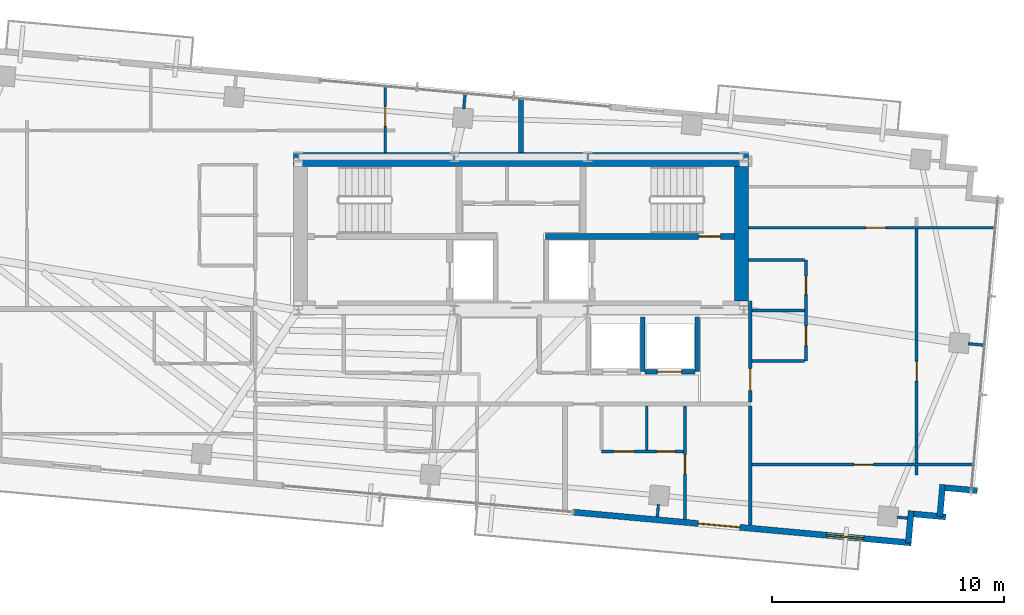
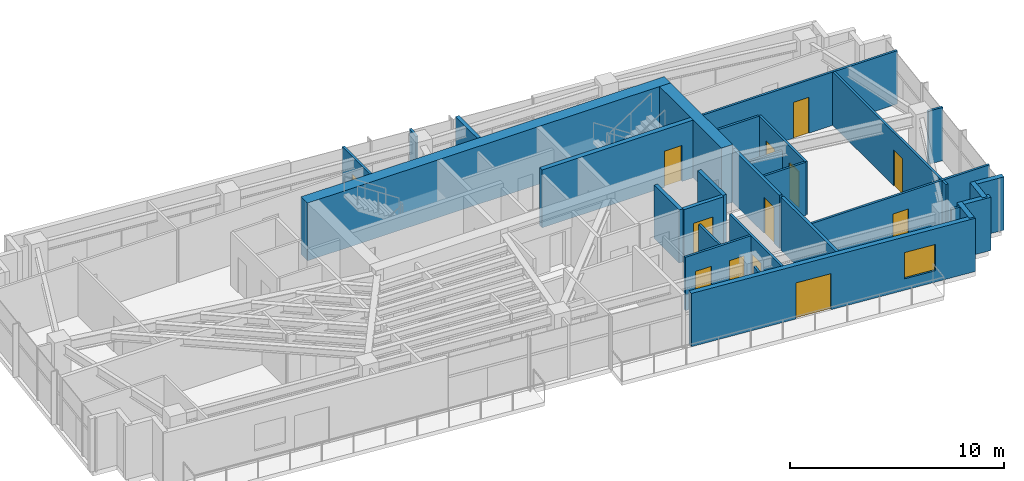
# One storey, part 18 of 22: 30 walls, 13 doors, 1 window, 14 openings.
"""IFC4 building model written with IfcOpenShell, lengths in metres."""

from ifc_helpers import new_model, si_unit, direction, frame, frame_2d, origin, place, context, subcontext, project, spatial, rectangle, extrude, source, transform, mapped, material, layer, layer_set, type_object, type_shapes, element, fill, save


model = new_model("IFC4")

# Units and contexts
model_context = context("Model", 3, precision=1e-05, world=origin(), true_north=direction((0.0, 1.0)))
body_context = subcontext(model_context, "Body", "Model", "MODEL_VIEW")
ifc_project = project(units=[si_unit("LENGTHUNIT", "METRE"), si_unit("AREAUNIT", "SQUARE_METRE"), si_unit("VOLUMEUNIT", "CUBIC_METRE"), si_unit("PLANEANGLEUNIT", "RADIAN"), si_unit("MASSUNIT", "GRAM", prefix="KILO")], contexts=[model_context])

# Site, building, storey
site_placement = place(None, origin())
site = spatial("IfcSite", under=ifc_project, at=site_placement, CompositionType="ELEMENT")
building_placement = place(site_placement, origin())
building = spatial("IfcBuilding", under=site, at=building_placement, Name="Astriad Promenade Condominiums", CompositionType="ELEMENT")
storey_placement = place(building_placement, frame((0.0, 0.0, 223.199951171875)))
storey = spatial("IfcBuildingStorey", under=building, at=storey_placement, Name="L64", CompositionType="ELEMENT", Elevation=223.199951171875)

# Walls
ifc_material_1 = material(Name="Concrete C50/60", Category="concrete")
ifc_layer_1 = layer(ifc_material_1, 0.60009765625)
ifc_layer_set_1 = layer_set([ifc_layer_1], Name="Concrete C50/60")
wall_type_1 = type_object("IfcWallType", Name="CW-SHEAR-600", PredefinedType="SHEAR", material=ifc_layer_set_1)
wall_1_placement = place(storey_placement, frame((26.199951171875, 23.89990234375, 0.0), z_axis=(0.0, 0.0, 1.0), x_axis=(1.0, 0.0, 0.0)))
element("IfcWall", 1, at=wall_1_placement, inside=storey, type_object=wall_type_1, Name="CW-CORE-N-L64", PredefinedType="SHEAR", context=body_context, shape_type="SweptSolid", body=[
    extrude(rectangle(XDim=19.60009765625, YDim=0.60009765625, at=frame_2d((9.800048828125, 0.0))), origin(), (0.0, 0.0, 1.0), 3.300048828125),
])
wall_2_placement = place(storey_placement, frame((45.5, 17.802001953125, 0.0), z_axis=(0.0, 0.0, 1.0), x_axis=(0.0, 1.0, 0.0)))
element("IfcWall", 2, at=wall_2_placement, inside=storey, type_object=wall_type_1, Name="CW-CORE-E-L64", PredefinedType="SHEAR", context=body_context, shape_type="SweptSolid", body=[
    extrude(rectangle(XDim=5.7958984375, YDim=0.60009765625, at=frame_2d((2.89794921875, 0.0))), origin(), (0.0, 0.0, 1.0), 3.300048828125),
])

# Wall, opening, door
ifc_layer_2 = layer(ifc_material_1, 0.25)
ifc_layer_set_2 = layer_set([ifc_layer_2], Name="Concrete C50/60")
wall_type_2 = type_object("IfcWallType", Name="WALL-CORE-INT-250", PredefinedType="SOLIDWALL", material=ifc_layer_set_2)
wall_3_placement = place(storey_placement, frame((37.050048828125, 20.574951171875, 0.0), z_axis=(0.0, 0.0, 1.0), x_axis=(1.0, 0.0, 0.0)))
wall_3 = element("IfcWall", 3, at=wall_3_placement, inside=storey, type_object=wall_type_2, Name="CW-INT-H2-L64", PredefinedType="SOLIDWALL", context=body_context, shape_type="SweptSolid", body=[
    extrude(rectangle(XDim=8.14794921875, YDim=0.25, at=frame_2d((4.073974609375, 0.0))), origin(), (0.0, 0.0, 1.0), 3.300048828125),
])
opening_1_placement = place(wall_3_placement, frame((6.60009765625, 0.0, 0.0)))
opening_1 = element("IfcOpeningElement", 4, at=opening_1_placement, cuts=wall_3, Name="Opening FD90-ST-095", PredefinedType="OPENING", context=body_context, shape_type="SweptSolid", body=[
    extrude(rectangle(XDim=0.949951171875, YDim=2.06005859375, at=frame_2d((0.47509765625, 1.030029296875))), frame((0.0, 0.135009765625, 0.0), z_axis=(0.0, -1.0, 0.0), x_axis=(1.0, 0.0, 0.0)), (0.0, 0.0, 1.0), 0.27001953125),
])
ifc_material_2 = material(Name="Fire-Rated Hollow Metal Stair Door")
door_type_1 = type_object("IfcDoorType", Name="FD90-ST-095", OperationType="NOTDEFINED", PredefinedType="DOOR", material=ifc_material_2)
shared_shape_1 = source(origin(), body_context, "Body", "SweptSolid", [
    extrude(rectangle(XDim=0.949951171875, YDim=2.06005859375, at=frame_2d((0.47509765625, 1.030029296875))), frame((0.0, 0.02490234375, 0.0), z_axis=(0.0, -1.0, 0.0), x_axis=(1.0, 0.0, 0.0)), (0.0, 0.0, 1.0), 0.050048828125),
])
type_shapes(door_type_1, [shared_shape_1])
door_1_placement = place(opening_1_placement, origin())
door_1 = element("IfcDoor", 5, at=door_1_placement, inside=storey, type_object=door_type_1, Name="D-ST2-L64", OperationType="SINGLE_SWING_LEFT", OverallHeight=2.06005859375, OverallWidth=0.949951171875, PredefinedType="DOOR", context=body_context, shape_type="MappedRepresentation", body=[
    mapped(shared_shape_1, transform((0.0, 0.0, 0.0), scale=1.0)),
])
fill(opening_1, door_1)

# Wall
ifc_material_3 = material(Name="Fire-Rated Gypsum Partition")
ifc_layer_3 = layer(ifc_material_3, 0.159912109375)
ifc_layer_set_3 = layer_set([ifc_layer_3], Name="Fire-Rated Gypsum Partition")
wall_type_3 = type_object("IfcWallType", Name="WALL-CORR-160", PredefinedType="PARTITIONING", material=ifc_layer_set_3)
wall_4_placement = place(storey_placement, frame((45.8798828125, 8.135986328125, 0.0), z_axis=(0.0, 0.0, 1.0), x_axis=(0.0, 1.0, 0.0)))
element("IfcWall", 6, at=wall_4_placement, inside=storey, type_object=wall_type_3, Name="PT-COR-E-L64", PredefinedType="PARTITIONING", context=body_context, shape_type="SweptSolid", body=[
    extrude(rectangle(XDim=5.14208984375, YDim=0.159912109375, at=frame_2d((2.571044921875, 0.0))), origin(), (0.0, 0.0, 1.0), 3.0400390625),
])

# Wall, opening, door
wall_5_placement = place(storey_placement, frame((45.8798828125, 13.44189453125, 0.0), z_axis=(0.0, 0.0, 1.0), x_axis=(0.0, 1.0, 0.0)))
wall_5 = element("IfcWall", 7, at=wall_5_placement, inside=storey, type_object=wall_type_3, Name="PT-COR-E-L64-S2", PredefinedType="PARTITIONING", context=body_context, shape_type="SweptSolid", body=[
    extrude(rectangle(XDim=4.360107421875, YDim=0.159912109375, at=frame_2d((2.18017578125, 0.0))), origin(), (0.0, 0.0, 1.0), 3.0400390625),
])
opening_2_placement = place(wall_5_placement, frame((0.492919921875, 0.0, 0.0)))
opening_2 = element("IfcOpeningElement", 8, at=opening_2_placement, cuts=wall_5, Name="Opening FD60-APT-095", PredefinedType="OPENING", context=body_context, shape_type="SweptSolid", body=[
    extrude(rectangle(XDim=0.949951171875, YDim=2.06005859375, at=frame_2d((0.47509765625, 1.030029296875))), frame((0.0, 0.08984375, 0.0), z_axis=(0.0, -1.0, 0.0), x_axis=(1.0, 0.0, 0.0)), (0.0, 0.0, 1.0), 0.179931640625),
])
ifc_material_4 = material(Name="Solid-Core Acoustic Timber Residence Entry Door", Category="wood")
door_type_2 = type_object("IfcDoorType", Name="FD60-APT-095", OperationType="NOTDEFINED", PredefinedType="DOOR", material=ifc_material_4)
shared_shape_2 = source(origin(), body_context, "Body", "SweptSolid", [
    extrude(rectangle(XDim=0.949951171875, YDim=2.06005859375, at=frame_2d((0.47509765625, 1.030029296875))), frame((0.0, 0.02490234375, 0.0), z_axis=(0.0, -1.0, 0.0), x_axis=(1.0, 0.0, 0.0)), (0.0, 0.0, 1.0), 0.050048828125),
])
type_shapes(door_type_2, [shared_shape_2])
door_2_placement = place(opening_2_placement, origin())
door_2 = element("IfcDoor", 9, at=door_2_placement, inside=storey, type_object=door_type_2, Name="D-ENT-L64-E1", OperationType="SINGLE_SWING_RIGHT", OverallHeight=2.06005859375, OverallWidth=0.949951171875, PredefinedType="DOOR", context=body_context, shape_type="MappedRepresentation", body=[
    mapped(shared_shape_2, transform((0.0, 0.0, 0.0), scale=1.0)),
])
fill(opening_2, door_2)

# Walls
ifc_material_5 = material(Name="Acoustic Double-Stud Gypsum Partition")
ifc_layer_4 = layer(ifc_material_5, 0.199951171875)
ifc_layer_set_4 = layer_set([ifc_layer_4], Name="Acoustic Double-Stud Gypsum Partition")
wall_type_4 = type_object("IfcWallType", Name="WALL-DEMISING-200", PredefinedType="PARTITIONING", material=ifc_layer_set_4)
wall_6_placement = place(storey_placement, frame((36.0, 24.201904296875, 0.0), z_axis=(0.0, 0.0, 1.0), x_axis=(0.0, 1.0, 0.0)))
element("IfcWall", 10, at=wall_6_placement, inside=storey, type_object=wall_type_4, Name="PT-NC-MID-L64", PredefinedType="PARTITIONING", context=body_context, shape_type="SweptSolid", body=[
    extrude(rectangle(XDim=2.36328125, YDim=0.199951171875, at=frame_2d((1.181640625, 0.0))), origin(), (0.0, 0.0, 1.0), 3.0400390625),
])
ifc_material_6 = material(Name="Precast concrete C50/60", Category="concrete")
ifc_layer_5 = layer(ifc_material_6, 0.260009765625)
ifc_layer_set_5 = layer_set([ifc_layer_5], Name="Precast concrete C50/60")
wall_type_5 = type_object("IfcWallType", Name="WALL-EXT-TWR-260", PredefinedType="STANDARD", material=ifc_layer_set_5)
for number, where, z_axis, x_axis, name in (
    (11, (55.664794921875, 9.623291015625, 0.0), (0.0, 0.0, 1.0), (-0.995881721538, 0.090661991521, 0.0), "W-SER-L64-14"),
    (12, (54.1728515625, 9.889404296875, 0.0), (0.0, 0.0, 1.0), (-0.090661991521, -0.995881721538, 0.0), "W-SER-L64-15"),
):
    element("IfcWall", number, at=place(storey_placement, frame(where, z_axis=z_axis, x_axis=x_axis)), inside=storey, type_object=wall_type_5, Name=name, PredefinedType="STANDARD", context=body_context, shape_type="SweptSolid", body=[
        extrude(rectangle(XDim=1.39501953125, YDim=0.260009765625, at=frame_2d((0.697509765625, 0.0))), origin(), (0.0, 0.0, 1.0), 3.0400390625),
    ])
for number, where, z_axis, x_axis, name in (
    (13, (54.306884765625, 8.49169921875, 0.0), (0.0, 0.0, 1.0), (-0.995883159782, 0.090646191665, 0.0), "W-SER-L64-16"),
    (14, (52.814697265625, 8.758056640625, 0.0), (0.0, 0.0, 1.0), (-0.090646191665, -0.995883159782, 0.0), "W-SER-L64-17"),
):
    element("IfcWall", number, at=place(storey_placement, frame(where, z_axis=z_axis, x_axis=x_axis)), inside=storey, type_object=wall_type_5, Name=name, PredefinedType="STANDARD", context=body_context, shape_type="SweptSolid", body=[
        extrude(rectangle(XDim=1.395263671875, YDim=0.260009765625, at=frame_2d((0.69775390625, 0.0))), origin(), (0.0, 0.0, 1.0), 3.0400390625),
    ])

# Wall, openings, door, window
wall_7_placement = place(storey_placement, frame((52.819091796875, 7.371826171875, 0.0), z_axis=(0.0, 0.0, 1.0), x_axis=(-0.995884447498, 0.090632043071, 0.0)))
wall_7 = element("IfcWall", 15, at=wall_7_placement, inside=storey, type_object=wall_type_5, Name="W-EXT-L64-S1", PredefinedType="STANDARD", context=body_context, shape_type="SweptSolid", body=[
    extrude(rectangle(XDim=14.6298828125, YDim=0.260009765625, at=frame_2d((7.31494140625, 0.0))), origin(), (0.0, 0.0, 1.0), 3.0400390625),
])
opening_3_placement = place(wall_7_placement, frame((7.425048828125, 0.0, 0.0)))
opening_3 = element("IfcOpeningElement", 16, at=opening_3_placement, cuts=wall_7, Name="Opening BD-1822-SLD", PredefinedType="OPENING", context=body_context, shape_type="SweptSolid", body=[
    extrude(rectangle(XDim=1.800048828125, YDim=2.06005859375, at=frame_2d((0.89990234375, 1.030029296875))), frame((0.0, 0.139892578125, 0.0), z_axis=(0.0, -1.0, 0.0), x_axis=(1.0, 0.0, 0.0)), (0.0, 0.0, 1.0), 0.280029296875),
])
opening_4_placement = place(wall_7_placement, frame((2.050048828125, 0.0, 0.64990234375)))
opening_4 = element("IfcOpeningElement", 17, at=opening_4_placement, cuts=wall_7, Name="Opening WIN-TWR-1620", PredefinedType="OPENING", context=body_context, shape_type="SweptSolid", body=[
    extrude(rectangle(XDim=1.60009765625, YDim=1.5, at=frame_2d((0.800048828125, 0.75))), frame((0.0, 0.139892578125, 0.0), z_axis=(0.0, -1.0, 0.0), x_axis=(1.0, 0.0, 0.0)), (0.0, 0.0, 1.0), 0.280029296875),
])
ifc_material_7 = material(Name="Thermally Broken Aluminium Sliding Balcony Door", Category="aluminium")
door_type_3 = type_object("IfcDoorType", Name="BD-1822-SLD", OperationType="NOTDEFINED", PredefinedType="DOOR", material=ifc_material_7)
shared_shape_3 = source(origin(), body_context, "Body", "SweptSolid", [
    extrude(rectangle(XDim=1.800048828125, YDim=2.06005859375, at=frame_2d((0.89990234375, 1.030029296875))), frame((0.0, 0.02490234375, 0.0), z_axis=(0.0, -1.0, 0.0), x_axis=(1.0, 0.0, 0.0)), (0.0, 0.0, 1.0), 0.050048828125),
])
type_shapes(door_type_3, [shared_shape_3])
door_3_placement = place(opening_3_placement, origin())
door_3 = element("IfcDoor", 18, at=door_3_placement, inside=storey, type_object=door_type_3, Name="BD-L64-SE", OperationType="SLIDING_TO_RIGHT", OverallHeight=2.06005859375, OverallWidth=1.800048828125, PredefinedType="DOOR", context=body_context, shape_type="MappedRepresentation", body=[
    mapped(shared_shape_3, transform((0.0, 0.0, 0.0), scale=1.0)),
])
fill(opening_3, door_3)
ifc_material_8 = material(Name="Dark Tinted Triple-Glazed Aluminium Window", Category="aluminium")
window_type = type_object("IfcWindowType", Name="WIN-TWR-1620", PartitioningType="SINGLE_PANEL", PredefinedType="WINDOW", material=ifc_material_8)
shared_shape_4 = source(origin(), body_context, "Body", "SweptSolid", [
    extrude(rectangle(XDim=1.60009765625, YDim=1.5, at=frame_2d((0.800048828125, 0.75))), frame((0.0, 0.030029296875, 0.0), z_axis=(0.0, -1.0, 0.0), x_axis=(1.0, 0.0, 0.0)), (0.0, 0.0, 1.0), 0.06005859375),
])
type_shapes(window_type, [shared_shape_4])
window_placement = place(opening_4_placement, origin())
window = element("IfcWindow", 19, at=window_placement, inside=storey, type_object=window_type, Name="WIN-L64-SE", OverallHeight=1.5, OverallWidth=1.60009765625, PartitioningType="SINGLE_PANEL", PredefinedType="WINDOW", context=body_context, shape_type="MappedRepresentation", body=[
    mapped(shared_shape_4, transform((0.0, 0.0, 0.0), scale=1.0)),
])
fill(opening_4, window)

# Wall, opening, door
ifc_material_9 = material(Name="Acoustic Metal-Stud Gypsum Partition")
ifc_layer_6 = layer(ifc_material_9, 0.1201171875)
ifc_layer_set_6 = layer_set([ifc_layer_6], Name="Acoustic Metal-Stud Gypsum Partition")
wall_type_6 = type_object("IfcWallType", Name="WALL-PART-120", PredefinedType="PARTITIONING", material=ifc_layer_set_6)
wall_8_placement = place(storey_placement, frame((43.068115234375, 8.391845703125, 0.0), z_axis=(0.0, 0.0, 1.0), x_axis=(0.0, 1.0, 0.0)))
wall_8 = element("IfcWall", 20, at=wall_8_placement, inside=storey, type_object=wall_type_6, Name="PT-L64-S2-V1", PredefinedType="PARTITIONING", context=body_context, shape_type="SweptSolid", body=[
    extrude(rectangle(XDim=4.88623046875, YDim=0.1201171875, at=frame_2d((2.443115234375, 0.0))), origin(), (0.0, 0.0, 1.0), 3.0400390625),
])
opening_5_placement = place(wall_8_placement, frame((1.93994140625, 0.0, 0.0)))
opening_5 = element("IfcOpeningElement", 21, at=opening_5_placement, cuts=wall_8, Name="Opening D-INT-085", PredefinedType="OPENING", context=body_context, shape_type="SweptSolid", body=[
    extrude(rectangle(XDim=0.85009765625, YDim=2.050048828125, at=frame_2d((0.425048828125, 1.02490234375))), frame((0.0, 0.070068359375, 0.0), z_axis=(0.0, -1.0, 0.0), x_axis=(1.0, 0.0, 0.0)), (0.0, 0.0, 1.0), 0.14013671875),
])
ifc_material_10 = material(Name="Painted Solid-Core Timber Room Door", Category="wood")
door_type_4 = type_object("IfcDoorType", Name="D-INT-085", OperationType="NOTDEFINED", PredefinedType="DOOR", material=ifc_material_10)
shared_shape_5 = source(origin(), body_context, "Body", "SweptSolid", [
    extrude(rectangle(XDim=0.85009765625, YDim=2.050048828125, at=frame_2d((0.425048828125, 1.02490234375))), frame((0.0, 0.02490234375, 0.0), z_axis=(0.0, -1.0, 0.0), x_axis=(1.0, 0.0, 0.0)), (0.0, 0.0, 1.0), 0.050048828125),
])
type_shapes(door_type_4, [shared_shape_5])
door_4_placement = place(opening_5_placement, origin())
door_4 = element("IfcDoor", 22, at=door_4_placement, inside=storey, type_object=door_type_4, Name="D-BD1-L64-S2", OperationType="SINGLE_SWING_LEFT", OverallHeight=2.050048828125, OverallWidth=0.85009765625, PredefinedType="DOOR", context=body_context, shape_type="MappedRepresentation", body=[
    mapped(shared_shape_5, transform((0.0, 0.0, 0.0), scale=1.0)),
])
fill(opening_5, door_4)

# Wall, openings, doors
wall_9_placement = place(storey_placement, frame((39.468017578125, 11.31005859375, 0.0), z_axis=(0.0, 0.0, 1.0), x_axis=(1.0, 0.0, 0.0)))
wall_9 = element("IfcWall", 23, at=wall_9_placement, inside=storey, type_object=wall_type_6, Name="PT-L64-S2-PS", PredefinedType="PARTITIONING", context=body_context, shape_type="SweptSolid", body=[
    extrude(rectangle(XDim=3.5380859375, YDim=0.1201171875, at=frame_2d((1.76904296875, 0.0))), origin(), (0.0, 0.0, 1.0), 3.0400390625),
])
opening_6_placement = place(wall_9_placement, frame((0.550048828125, 0.0, 0.0)))
opening_6 = element("IfcOpeningElement", 24, at=opening_6_placement, cuts=wall_9, Name="Opening D-INT-085", PredefinedType="OPENING", context=body_context, shape_type="SweptSolid", body=[
    extrude(rectangle(XDim=0.85009765625, YDim=2.050048828125, at=frame_2d((0.425048828125, 1.02490234375))), frame((0.0, 0.070068359375, 0.0), z_axis=(0.0, -1.0, 0.0), x_axis=(1.0, 0.0, 0.0)), (0.0, 0.0, 1.0), 0.14013671875),
])
opening_7_placement = place(wall_9_placement, frame((2.375, 0.0, 0.0)))
opening_7 = element("IfcOpeningElement", 25, at=opening_7_placement, cuts=wall_9, Name="Opening D-WET-080", PredefinedType="OPENING", context=body_context, shape_type="SweptSolid", body=[
    extrude(rectangle(XDim=0.800048828125, YDim=2.02001953125, at=frame_2d((0.39990234375, 1.010009765625))), frame((0.0, 0.070068359375, 0.0), z_axis=(0.0, -1.0, 0.0), x_axis=(1.0, 0.0, 0.0)), (0.0, 0.0, 1.0), 0.14013671875),
])
ifc_material_11 = material(Name="Moisture-Resistant Timber Bathroom Door", Category="wood")
door_type_5 = type_object("IfcDoorType", Name="D-WET-080", OperationType="NOTDEFINED", PredefinedType="DOOR", material=ifc_material_11)
shared_shape_6 = source(origin(), body_context, "Body", "SweptSolid", [
    extrude(rectangle(XDim=0.800048828125, YDim=2.02001953125, at=frame_2d((0.39990234375, 1.010009765625))), frame((0.0, 0.02490234375, 0.0), z_axis=(0.0, -1.0, 0.0), x_axis=(1.0, 0.0, 0.0)), (0.0, 0.0, 1.0), 0.050048828125),
])
type_shapes(door_type_5, [shared_shape_6])
door_5_placement = place(opening_7_placement, origin())
door_5 = element("IfcDoor", 26, at=door_5_placement, inside=storey, type_object=door_type_5, Name="D-BTH-L64-S2", OperationType="SINGLE_SWING_LEFT", OverallHeight=2.02001953125, OverallWidth=0.800048828125, PredefinedType="DOOR", context=body_context, shape_type="MappedRepresentation", body=[
    mapped(shared_shape_6, transform((0.0, 0.0, 0.0), scale=1.0)),
])
fill(opening_7, door_5)
door_6_placement = place(opening_6_placement, origin())
door_6 = element("IfcDoor", 27, at=door_6_placement, inside=storey, type_object=door_type_4, Name="D-KIT-L64-S2", OperationType="SINGLE_SWING_RIGHT", OverallHeight=2.050048828125, OverallWidth=0.85009765625, PredefinedType="DOOR", context=body_context, shape_type="MappedRepresentation", body=[
    mapped(shared_shape_5, transform((0.0, 0.0, 0.0), scale=1.0)),
])
fill(opening_6, door_6)

# Wall
wall_10_placement = place(storey_placement, frame((41.41796875, 11.3720703125, 0.0), z_axis=(0.0, 0.0, 1.0), x_axis=(0.0, 1.0, 0.0)))
element("IfcWall", 28, at=wall_10_placement, inside=storey, type_object=wall_type_6, Name="PT-L64-S2-PB", PredefinedType="PARTITIONING", context=body_context, shape_type="SweptSolid", body=[
    extrude(rectangle(XDim=1.906005859375, YDim=0.1201171875, at=frame_2d((0.953125, 0.0))), origin(), (0.0, 0.0, 1.0), 3.0400390625),
])

# Wall, opening, door
wall_11_placement = place(storey_placement, frame((30.14990234375, 24.201904296875, 0.0), z_axis=(0.0, 0.0, 1.0), x_axis=(0.0, 1.0, 0.0)))
wall_11 = element("IfcWall", 29, at=wall_11_placement, inside=storey, type_object=wall_type_6, Name="PT-L64-W2-NC", PredefinedType="PARTITIONING", context=body_context, shape_type="SweptSolid", body=[
    extrude(rectangle(XDim=2.895751953125, YDim=0.1201171875, at=frame_2d((1.44775390625, 0.0))), origin(), (0.0, 0.0, 1.0), 3.0400390625),
])
opening_8_placement = place(wall_11_placement, frame((1.1279296875, 0.0, 0.0)))
opening_8 = element("IfcOpeningElement", 30, at=opening_8_placement, cuts=wall_11, Name="Opening D-INT-085", PredefinedType="OPENING", context=body_context, shape_type="SweptSolid", body=[
    extrude(rectangle(XDim=0.85009765625, YDim=2.050048828125, at=frame_2d((0.425048828125, 1.02490234375))), frame((0.0, 0.070068359375, 0.0), z_axis=(0.0, -1.0, 0.0), x_axis=(1.0, 0.0, 0.0)), (0.0, 0.0, 1.0), 0.14013671875),
])
door_7_placement = place(opening_8_placement, origin())
door_7 = element("IfcDoor", 31, at=door_7_placement, inside=storey, type_object=door_type_4, Name="D-NC-L64-W2", OperationType="SINGLE_SWING_RIGHT", OverallHeight=2.050048828125, OverallWidth=0.85009765625, PredefinedType="DOOR", context=body_context, shape_type="MappedRepresentation", body=[
    mapped(shared_shape_5, transform((0.0, 0.0, 0.0), scale=1.0)),
])
fill(opening_8, door_7)

# Wall, openings, doors
wall_12_placement = place(storey_placement, frame((48.280029296875, 15.2099609375, 0.0), z_axis=(0.0, 0.0, 1.0), x_axis=(0.0, 1.0, 0.0)))
wall_12 = element("IfcWall", 32, at=wall_12_placement, inside=storey, type_object=wall_type_6, Name="PT-L64-E1-PV", PredefinedType="PARTITIONING", context=body_context, shape_type="SweptSolid", body=[
    extrude(rectangle(XDim=4.35009765625, YDim=0.1201171875, at=frame_2d((2.175048828125, 0.0))), origin(), (0.0, 0.0, 1.0), 3.0400390625),
])
opening_9_placement = place(wall_12_placement, frame((0.662109375, 0.0, 0.0)))
opening_9 = element("IfcOpeningElement", 33, at=opening_9_placement, cuts=wall_12, Name="Opening D-INT-085", PredefinedType="OPENING", context=body_context, shape_type="SweptSolid", body=[
    extrude(rectangle(XDim=0.85009765625, YDim=2.050048828125, at=frame_2d((0.425048828125, 1.02490234375))), frame((0.0, 0.070068359375, 0.0), z_axis=(0.0, -1.0, 0.0), x_axis=(1.0, 0.0, 0.0)), (0.0, 0.0, 1.0), 0.14013671875),
])
opening_10_placement = place(wall_12_placement, frame((2.863037109375, 0.0, 0.0)))
opening_10 = element("IfcOpeningElement", 34, at=opening_10_placement, cuts=wall_12, Name="Opening D-WET-080", PredefinedType="OPENING", context=body_context, shape_type="SweptSolid", body=[
    extrude(rectangle(XDim=0.800048828125, YDim=2.02001953125, at=frame_2d((0.39990234375, 1.010009765625))), frame((0.0, 0.070068359375, 0.0), z_axis=(0.0, -1.0, 0.0), x_axis=(1.0, 0.0, 0.0)), (0.0, 0.0, 1.0), 0.14013671875),
])
door_8_placement = place(opening_10_placement, origin())
door_8 = element("IfcDoor", 35, at=door_8_placement, inside=storey, type_object=door_type_5, Name="D-BTH-L64-E1", OperationType="SINGLE_SWING_RIGHT", OverallHeight=2.02001953125, OverallWidth=0.800048828125, PredefinedType="DOOR", context=body_context, shape_type="MappedRepresentation", body=[
    mapped(shared_shape_6, transform((0.0, 0.0, 0.0), scale=1.0)),
])
fill(opening_10, door_8)
door_9_placement = place(opening_9_placement, origin())
door_9 = element("IfcDoor", 36, at=door_9_placement, inside=storey, type_object=door_type_4, Name="D-KIT-L64-E1", OperationType="SINGLE_SWING_LEFT", OverallHeight=2.050048828125, OverallWidth=0.85009765625, PredefinedType="DOOR", context=body_context, shape_type="MappedRepresentation", body=[
    mapped(shared_shape_5, transform((0.0, 0.0, 0.0), scale=1.0)),
])
fill(opening_9, door_9)

# Walls
wall_13_placement = place(storey_placement, frame((45.9619140625, 17.385009765625, 0.0), z_axis=(0.0, 0.0, 1.0), x_axis=(1.0, 0.0, 0.0)))
element("IfcWall", 37, at=wall_13_placement, inside=storey, type_object=wall_type_6, Name="PT-L64-E1-PM", PredefinedType="PARTITIONING", context=body_context, shape_type="SweptSolid", body=[
    extrude(rectangle(XDim=2.256103515625, YDim=0.1201171875, at=frame_2d((1.1279296875, 0.0))), origin(), (0.0, 0.0, 1.0), 2.38134765625),
])
wall_14_placement = place(storey_placement, frame((45.9619140625, 15.2099609375, 0.0), z_axis=(0.0, 0.0, 1.0), x_axis=(1.0, 0.0, 0.0)))
element("IfcWall", 38, at=wall_14_placement, inside=storey, type_object=wall_type_6, Name="PT-L64-E1-PS", PredefinedType="PARTITIONING", context=body_context, shape_type="SweptSolid", body=[
    extrude(rectangle(XDim=2.256103515625, YDim=0.1201171875, at=frame_2d((1.1279296875, 0.0))), origin(), (0.0, 0.0, 1.0), 3.0400390625),
])
wall_15_placement = place(storey_placement, frame((45.802001953125, 19.56005859375, 0.0), z_axis=(0.0, 0.0, 1.0), x_axis=(1.0, 0.0, 0.0)))
element("IfcWall", 39, at=wall_15_placement, inside=storey, type_object=wall_type_6, Name="PT-L64-E1-PN", PredefinedType="PARTITIONING", context=body_context, shape_type="SweptSolid", body=[
    extrude(rectangle(XDim=2.416015625, YDim=0.1201171875, at=frame_2d((1.2080078125, 0.0))), origin(), (0.0, 0.0, 1.0), 3.0400390625),
])

# Wall, opening, door
wall_16_placement = place(storey_placement, frame((45.9619140625, 10.74609375, 0.0), z_axis=(0.0, 0.0, 1.0), x_axis=(1.0, 0.0, 0.0)))
wall_16 = element("IfcWall", 40, at=wall_16_placement, inside=storey, type_object=wall_type_6, Name="PT-L64-E1-WDS2", PredefinedType="PARTITIONING", context=body_context, shape_type="SweptSolid", body=[
    extrude(rectangle(XDim=9.59423828125, YDim=0.1201171875, at=frame_2d((4.797119140625, 0.0))), origin(), (0.0, 0.0, 1.0), 3.0400390625),
])
opening_11_placement = place(wall_16_placement, frame((4.3779296875, 0.0, 0.0)))
opening_11 = element("IfcOpeningElement", 41, at=opening_11_placement, cuts=wall_16, Name="Opening D-INT-085", PredefinedType="OPENING", context=body_context, shape_type="SweptSolid", body=[
    extrude(rectangle(XDim=0.85009765625, YDim=2.050048828125, at=frame_2d((0.425048828125, 1.02490234375))), frame((0.0, 0.070068359375, 0.0), z_axis=(0.0, -1.0, 0.0), x_axis=(1.0, 0.0, 0.0)), (0.0, 0.0, 1.0), 0.14013671875),
])
door_10_placement = place(opening_11_placement, origin())
door_10 = element("IfcDoor", 42, at=door_10_placement, inside=storey, type_object=door_type_4, Name="D-WDS2-L64-E1", OperationType="SINGLE_SWING_RIGHT", OverallHeight=2.050048828125, OverallWidth=0.85009765625, PredefinedType="DOOR", context=body_context, shape_type="MappedRepresentation", body=[
    mapped(shared_shape_5, transform((0.0, 0.0, 0.0), scale=1.0)),
])
fill(opening_11, door_10)

wall_17_placement = place(storey_placement, frame((45.802001953125, 20.9541015625, 0.0), z_axis=(0.0, 0.0, 1.0), x_axis=(1.0, 0.0, 0.0)))
wall_17 = element("IfcWall", 43, at=wall_17_placement, inside=storey, type_object=wall_type_6, Name="PT-L64-E1-WDN3", PredefinedType="PARTITIONING", context=body_context, shape_type="SweptSolid", body=[
    extrude(rectangle(XDim=10.68310546875, YDim=0.1201171875, at=frame_2d((5.341552734375, 0.0))), origin(), (0.0, 0.0, 1.0), 3.0400390625),
])
opening_12_placement = place(wall_17_placement, frame((5.06201171875, 0.0, 0.0)))
opening_12 = element("IfcOpeningElement", 44, at=opening_12_placement, cuts=wall_17, Name="Opening D-INT-085", PredefinedType="OPENING", context=body_context, shape_type="SweptSolid", body=[
    extrude(rectangle(XDim=0.85009765625, YDim=2.050048828125, at=frame_2d((0.425048828125, 1.02490234375))), frame((0.0, 0.070068359375, 0.0), z_axis=(0.0, -1.0, 0.0), x_axis=(1.0, 0.0, 0.0)), (0.0, 0.0, 1.0), 0.14013671875),
])
door_11_placement = place(opening_12_placement, origin())
door_11 = element("IfcDoor", 45, at=door_11_placement, inside=storey, type_object=door_type_4, Name="D-WDN3-L64-E1", OperationType="SINGLE_SWING_LEFT", OverallHeight=2.050048828125, OverallWidth=0.85009765625, PredefinedType="DOOR", context=body_context, shape_type="MappedRepresentation", body=[
    mapped(shared_shape_5, transform((0.0, 0.0, 0.0), scale=1.0)),
])
fill(opening_12, door_11)

# Wall
wall_18_placement = place(storey_placement, frame((53.047119140625, 10.305908203125, 0.0), z_axis=(0.0, 0.0, 1.0), x_axis=(0.0, 1.0, 0.0)))
element("IfcWall", 46, at=wall_18_placement, inside=storey, type_object=wall_type_6, Name="PT-L64-E1-WDV4", PredefinedType="PARTITIONING", context=body_context, shape_type="SweptSolid", body=[
    extrude(rectangle(XDim=0.378173828125, YDim=0.1201171875, at=frame_2d((0.18896484375, 0.0))), origin(), (0.0, 0.0, 1.0), 3.0400390625),
])

# Wall, opening, door
wall_19_placement = place(storey_placement, frame((53.047119140625, 10.80810546875, 0.0), z_axis=(0.0, 0.0, 1.0), x_axis=(0.0, 1.0, 0.0)))
wall_19 = element("IfcWall", 47, at=wall_19_placement, inside=storey, type_object=wall_type_6, Name="PT-L64-E1-WDV4-S2", PredefinedType="PARTITIONING", context=body_context, shape_type="SweptSolid", body=[
    extrude(rectangle(XDim=10.083984375, YDim=0.1201171875, at=frame_2d((5.0419921875, 0.0))), origin(), (0.0, 0.0, 1.0), 3.0400390625),
])
opening_13_placement = place(wall_19_placement, frame((3.5400390625, 0.0, 0.0)))
opening_13 = element("IfcOpeningElement", 48, at=opening_13_placement, cuts=wall_19, Name="Opening D-INT-085", PredefinedType="OPENING", context=body_context, shape_type="SweptSolid", body=[
    extrude(rectangle(XDim=0.85009765625, YDim=2.050048828125, at=frame_2d((0.425048828125, 1.02490234375))), frame((0.0, 0.070068359375, 0.0), z_axis=(0.0, -1.0, 0.0), x_axis=(1.0, 0.0, 0.0)), (0.0, 0.0, 1.0), 0.14013671875),
])
door_12_placement = place(opening_13_placement, origin())
door_12 = element("IfcDoor", 49, at=door_12_placement, inside=storey, type_object=door_type_4, Name="D-WDV4-L64-E1", OperationType="SINGLE_SWING_RIGHT", OverallHeight=2.050048828125, OverallWidth=0.85009765625, PredefinedType="DOOR", context=body_context, shape_type="MappedRepresentation", body=[
    mapped(shared_shape_5, transform((0.0, 0.0, 0.0), scale=1.0)),
])
fill(opening_13, door_12)

# Walls
wall_20_placement = place(storey_placement, frame((41.92529296875, 9.0361328125, 0.0), z_axis=(0.0, 0.0, 1.0), x_axis=(-0.090740281653, -0.995874591144, 0.0)))
element("IfcWall", 50, at=wall_20_placement, inside=storey, type_object=wall_type_6, Name="PT-PIL-L64-PC04-11", PredefinedType="PARTITIONING", context=body_context, shape_type="SweptSolid", body=[
    extrude(rectangle(XDim=0.5380859375, YDim=0.1201171875, at=frame_2d((0.26904296875, 0.0))), origin(), (0.0, 0.0, 1.0), 3.0400390625),
])
wall_21_placement = place(storey_placement, frame((52.197265625, 8.48291015625, 0.0), z_axis=(0.0, 0.0, 1.0), x_axis=(0.995884462012, -0.090631883588, 0.0)))
element("IfcWall", 51, at=wall_21_placement, inside=storey, type_object=wall_type_6, Name="PT-PIL-L64-PC05-12", PredefinedType="PARTITIONING", context=body_context, shape_type="SweptSolid", body=[
    extrude(rectangle(XDim=0.4580078125, YDim=0.1201171875, at=frame_2d((0.22900390625, 0.0))), origin(), (0.0, 0.0, 1.0), 3.0400390625),
])
wall_22_placement = place(storey_placement, frame((33.5341796875, 26.066650390625, 0.0), z_axis=(0.0, 0.0, 1.0), x_axis=(0.090535746043, 0.995893206468, 0.0)))
element("IfcWall", 52, at=wall_22_placement, inside=storey, type_object=wall_type_6, Name="PT-PIL-L64-PC08-15", PredefinedType="PARTITIONING", context=body_context, shape_type="SweptSolid", body=[
    extrude(rectangle(XDim=0.719970703125, YDim=0.1201171875, at=frame_2d((0.35986328125, 0.0))), origin(), (0.0, 0.0, 1.0), 3.0400390625),
])
wall_23_placement = place(storey_placement, frame((55.26708984375, 15.955322265625, 0.0), z_axis=(0.0, 0.0, 1.0), x_axis=(0.995887938321, -0.09059367697, 0.0)))
element("IfcWall", 53, at=wall_23_placement, inside=storey, type_object=wall_type_6, Name="PT-PIL-L64-PC12-19", PredefinedType="PARTITIONING", context=body_context, shape_type="SweptSolid", body=[
    extrude(rectangle(XDim=0.760009765625, YDim=0.1201171875, at=frame_2d((0.3798828125, 0.0))), origin(), (0.0, 0.0, 1.0), 3.0400390625),
])
ifc_material_12 = material(Name="Gypsum Shaftliner Assembly")
ifc_layer_7 = layer(ifc_material_12, 0.199951171875)
ifc_layer_set_7 = layer_set([ifc_layer_7], Name="Gypsum Shaftliner Assembly")
wall_type_7 = type_object("IfcWallType", Name="WALL-SHAFT-200", PredefinedType="PARTITIONING", material=ifc_layer_set_7)
for number, where, z_axis, x_axis, name in (
    (54, (41.25, 14.75, 0.0), (0.0, 0.0, 1.0), (0.0, 1.0, 0.0), "PL-H-DIV-L64"),
    (55, (43.60009765625, 14.75, 0.0), (0.0, 0.0, 1.0), (0.0, 1.0, 0.0), "PL-E-OUT-L64"),
):
    element("IfcWall", number, at=place(storey_placement, frame(where, z_axis=z_axis, x_axis=x_axis)), inside=storey, type_object=wall_type_7, Name=name, PredefinedType="PARTITIONING", context=body_context, shape_type="SweptSolid", body=[
        extrude(rectangle(XDim=2.35009765625, YDim=0.199951171875, at=frame_2d((1.175048828125, 0.0))), origin(), (0.0, 0.0, 1.0), 3.0400390625),
    ])

# Wall, opening, door
wall_24_placement = place(storey_placement, frame((41.35205078125, 14.75, 0.0), z_axis=(0.0, 0.0, 1.0), x_axis=(1.0, 0.0, 0.0)))
wall_24 = element("IfcWall", 56, at=wall_24_placement, inside=storey, type_object=wall_type_7, Name="PL-H-FRT-L64-S2", PredefinedType="PARTITIONING", context=body_context, shape_type="SweptSolid", body=[
    extrude(rectangle(XDim=2.14599609375, YDim=0.199951171875, at=frame_2d((1.072998046875, 0.0))), origin(), (0.0, 0.0, 1.0), 3.0400390625),
])
opening_14_placement = place(wall_24_placement, frame((0.52294921875, 0.0, 0.0)))
opening_14 = element("IfcOpeningElement", 57, at=opening_14_placement, cuts=wall_24, Name="Opening LD-PL-10522", PredefinedType="OPENING", context=body_context, shape_type="SweptSolid", body=[
    extrude(rectangle(XDim=1.050048828125, YDim=2.080078125, at=frame_2d((0.52490234375, 1.0400390625))), frame((0.0, 0.10986328125, 0.0), z_axis=(0.0, -1.0, 0.0), x_axis=(1.0, 0.0, 0.0)), (0.0, 0.0, 1.0), 0.219970703125),
])
ifc_material_13 = material(Name="Brushed Bronze Passenger Elevator Landing Door")
door_type_6 = type_object("IfcDoorType", Name="LD-PL-10522", OperationType="NOTDEFINED", PredefinedType="DOOR", material=ifc_material_13)
shared_shape_7 = source(origin(), body_context, "Body", "SweptSolid", [
    extrude(rectangle(XDim=1.050048828125, YDim=2.080078125, at=frame_2d((0.52490234375, 1.0400390625))), frame((0.0, 0.02490234375, 0.0), z_axis=(0.0, -1.0, 0.0), x_axis=(1.0, 0.0, 0.0)), (0.0, 0.0, 1.0), 0.050048828125),
])
type_shapes(door_type_6, [shared_shape_7])
door_13_placement = place(opening_14_placement, origin())
door_13 = element("IfcDoor", 58, at=door_13_placement, inside=storey, type_object=door_type_6, Name="Elevator Landing Door PL-H2 (L64)", OperationType="SLIDING_TO_RIGHT", OverallHeight=2.080078125, OverallWidth=1.050048828125, PredefinedType="DOOR", context=body_context, shape_type="MappedRepresentation", body=[
    mapped(shared_shape_7, transform((0.0, 0.0, 0.0), scale=1.0)),
])
fill(opening_14, door_13)

save(model, "model.ifc")
